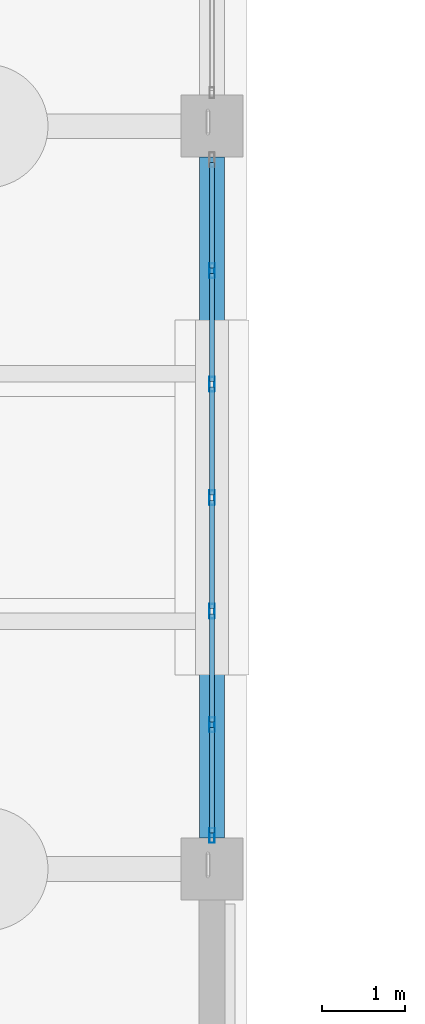
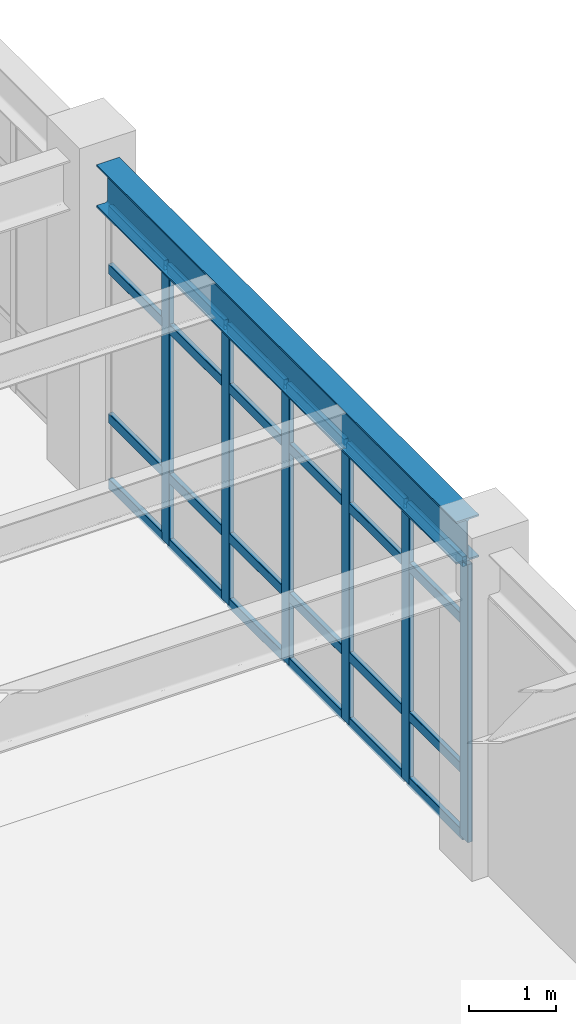
# One storey, part 72 of 139: 30 members, 1 beam, 1 element without a shape of its own.
"""IFC4 building model written with IfcOpenShell, lengths in metres."""

import ifcopenshell
import ifcopenshell.guid

model = None  # the IFC model being written
_history = None  # IfcOwnerHistory: only IFC2X3 demands one
_inside = {}  # id of a spatial element -> (the spatial element, [elements in it])
_under = {}  # id of a project, library or spatial element -> (it, [spatial elements below it])
_declared = {}  # id of a project -> (the project, [libraries it declares])
_typed = {}  # id of a type object -> (the type object, [elements of that type])
_made_of = {}  # id of a material, layer set ... -> (it, [elements and type objects made of it])


def new_model(schema):
    """Start an empty IFC model of exactly this schema.

    Asked for "IFC4X3", IfcOpenShell would pick the latest addendum, in which some entities
    have other attributes; the version numbers below select the first issue.
    IFC2X3 requires an IfcOwnerHistory on every rooted entity: one is made here for all.
    """
    global model, _history
    if schema == "IFC4X3":
        model = ifcopenshell.file(schema_version=(4, 3, 0, 0))
    else:
        model = ifcopenshell.file(schema=schema)
    _inside.clear()
    _under.clear()
    _declared.clear()
    _typed.clear()
    _made_of.clear()
    _history = None
    if model.schema == "IFC2X3":
        org = make("IfcOrganization", Name="unknown")
        user = make(
            "IfcPersonAndOrganization",
            ThePerson=make("IfcPerson", FamilyName="unknown"),
            TheOrganization=org,
        )
        app = make(
            "IfcApplication",
            ApplicationDeveloper=org,
            Version="unknown",
            ApplicationFullName="unknown",
            ApplicationIdentifier="unknown",
        )
        _history = make(
            "IfcOwnerHistory",
            OwningUser=user,
            OwningApplication=app,
            ChangeAction="ADDED",
            CreationDate=0,
        )
    return model


def make(cls, **values):
    """One entity of the class cls with the attributes given. An attribute that is None is left unset."""
    return model.create_entity(
        cls, **{name: value for name, value in values.items() if value is not None}
    )


def rooted(cls, **values):
    """An entity with a GlobalId (a new one), such as an element, a storey or a relation."""
    return make(cls, GlobalId=ifcopenshell.guid.new(), OwnerHistory=_history, **values)


def si_unit(unit_type, name, prefix=None):
    """IfcSIUnit, for example si_unit("LENGTHUNIT", "METRE", prefix="MILLI")."""
    return make("IfcSIUnit", UnitType=unit_type, Prefix=prefix, Name=name)


def assignment(units):
    """IfcUnitAssignment: the units of a project."""
    return None if units is None else make("IfcUnitAssignment", Units=units)


def point(xyz):
    """IfcCartesianPoint."""
    return None if xyz is None else make("IfcCartesianPoint", Coordinates=xyz)


def direction(xyz):
    """IfcDirection."""
    return None if xyz is None else make("IfcDirection", DirectionRatios=xyz)


def frame(location, z_axis=None, x_axis=None):
    """IfcAxis2Placement3D, a coordinate frame: its origin and axes. An axis left out is left unset."""
    return make(
        "IfcAxis2Placement3D",
        Location=point(location),
        Axis=direction(z_axis),
        RefDirection=direction(x_axis),
    )


def frame_2d(location, x_axis=None):
    """IfcAxis2Placement2D, a coordinate frame in the plane: its origin and x axis."""
    return make(
        "IfcAxis2Placement2D", Location=point(location), RefDirection=direction(x_axis)
    )


def origin():
    """The frame at (0, 0, 0) with its axes left unset."""
    return frame((0.0, 0.0, 0.0))


def origin_2d():
    """The frame at (0, 0) in the plane with its x axis left unset."""
    return frame_2d((0.0, 0.0))


def place(relative_to, where):
    """IfcLocalPlacement: puts the frame where relative to a parent placement (None: the world)."""
    return make(
        "IfcLocalPlacement", PlacementRelTo=relative_to, RelativePlacement=where
    )


def context(
    kind, dimensions, precision=None, world=None, true_north=None, identifier=None
):
    """IfcGeometricRepresentationContext, for example the 3D "Model" context."""
    return make(
        "IfcGeometricRepresentationContext",
        ContextIdentifier=identifier,
        ContextType=kind,
        CoordinateSpaceDimension=dimensions,
        Precision=precision,
        WorldCoordinateSystem=world,
        TrueNorth=true_north,
    )


def subcontext(parent, identifier, kind, view, scale=None):
    """IfcGeometricRepresentationSubContext, for example "Body" below "Model"."""
    return make(
        "IfcGeometricRepresentationSubContext",
        ContextIdentifier=identifier,
        ContextType=kind,
        ParentContext=parent,
        TargetScale=scale,
        TargetView=view,
    )


def project(units=None, contexts=None):
    """IfcProject with its units and contexts."""
    return rooted(
        "IfcProject",
        Name="project",
        RepresentationContexts=contexts,
        UnitsInContext=assignment(units),
    )


def spatial(cls, under=None, at=None, **own):
    """A site, building, storey or space (cls), placed at a placement, below another one or the project."""
    s = rooted(cls, ObjectPlacement=at, **own)
    if under is not None:
        _under.setdefault(under.id(), (under, []))[1].append(s)
    return s


def profile(cls, at=None, kind="AREA", **sizes):
    """A parametric profile (cls). Its sizes go by their IFC names, for example OverallWidth=200.0."""
    return make(cls, ProfileType=kind, Position=at, **sizes)


def hollow_rectangle(**sizes):
    """IfcRectangleHollowProfileDef."""
    return profile("IfcRectangleHollowProfileDef", **sizes)


def i_section(**sizes):
    """IfcIShapeProfileDef."""
    return profile("IfcIShapeProfileDef", **sizes)


def extrude(swept, where, along, depth):
    """IfcExtrudedAreaSolid: the profile swept, set in the frame where, extruded along a direction by depth."""
    return make(
        "IfcExtrudedAreaSolid",
        SweptArea=swept,
        Position=where,
        ExtrudedDirection=direction(along),
        Depth=depth,
    )


def shape(context_of_items, identifier, shape_type, items):
    """IfcShapeRepresentation: the items that make up one representation, for example the "Body"."""
    return make(
        "IfcShapeRepresentation",
        ContextOfItems=context_of_items,
        RepresentationIdentifier=identifier,
        RepresentationType=shape_type,
        Items=items,
    )


def material(Name=None, Category=None):
    """IfcMaterial."""
    return make("IfcMaterial", Name=Name, Category=Category)


def material_profile(
    of_material, cross_section, Name=None, Category=None, Priority=None
):
    """IfcMaterialProfile: a cross section and its material."""
    return make(
        "IfcMaterialProfile",
        Name=Name,
        Material=of_material,
        Profile=cross_section,
        Priority=Priority,
        Category=Category,
    )


def profile_set(profiles, Name=None, composite=None):
    """IfcMaterialProfileSet."""
    return make(
        "IfcMaterialProfileSet",
        Name=Name,
        MaterialProfiles=profiles,
        CompositeProfile=composite,
    )


def made_of(thing, what):
    """Note that an element or type object is made of a material, layer set ...; save() writes the relation."""
    if what is not None:
        _made_of.setdefault(what.id(), (what, []))[1].append(thing)
    return thing


def type_object(cls, material=None, **own):
    """A type object (cls), such as IfcWallType, which elements share."""
    return made_of(rooted(cls, **own), material)


def element(
    cls,
    number,
    at=None,
    inside=None,
    cuts=None,
    type_object=None,
    material=None,
    context=None,
    identifier="Body",
    shape_type=None,
    held_by="IfcProductDefinitionShape",
    body=None,
    shapes=None,
    **own,
):
    """One element of the class cls, such as IfcWall. Its Tag is "e" and its number.

    at: its placement. inside: the storey or other place that contains it. cuts: it is an
    opening in that element (IfcRelVoidsElement). A single representation is given by context,
    identifier, shape_type and body (its items); several are given by shapes. held_by: the class
    of the entity that holds the representations. save() writes the other relations.
    """
    e = rooted(cls, Tag="e%d" % number, ObjectPlacement=at, **own)
    if body is not None:
        shapes = [shape(context, identifier, shape_type, body)]
    if shapes is not None:
        e.Representation = make(held_by, Representations=shapes)
    if inside is not None:
        _inside.setdefault(inside.id(), (inside, []))[1].append(e)
    if cuts is not None:
        rooted(
            "IfcRelVoidsElement", RelatingBuildingElement=cuts, RelatedOpeningElement=e
        )
    if type_object is not None:
        _typed.setdefault(type_object.id(), (type_object, []))[1].append(e)
    return made_of(e, material)


def aggregate(whole, parts):
    """IfcRelAggregates: a whole, such as a stair, and the parts it consists of."""
    return rooted("IfcRelAggregates", RelatingObject=whole, RelatedObjects=parts)


def save(model, path):
    """Write the relations noted so far, then the file.

    IfcRelAggregates (storeys below a building ...), IfcRelContainedInSpatialStructure (elements
    in a storey), IfcRelDefinesByType, IfcRelAssociatesMaterial and IfcRelDeclares: one each for
    every whole, place, type object, material and project.
    """
    for whole, parts in _under.values():
        aggregate(whole, parts)
    for where, things in _inside.values():
        rooted(
            "IfcRelContainedInSpatialStructure",
            RelatedElements=things,
            RelatingStructure=where,
        )
    for kind, things in _typed.values():
        rooted("IfcRelDefinesByType", RelatedObjects=things, RelatingType=kind)
    for what, things in _made_of.values():
        rooted("IfcRelAssociatesMaterial", RelatedObjects=things, RelatingMaterial=what)
    for by, libraries in _declared.values():
        rooted("IfcRelDeclares", RelatingContext=by, RelatedDefinitions=libraries)
    model.write(path)


model = new_model("IFC4")

# Units and contexts
model_context = context("Model", 3, precision=1e-05, world=origin(), true_north=direction((0.0, 1.0)))
body_context = subcontext(model_context, "Body", "Model", "MODEL_VIEW")
ifc_project = project(units=[si_unit("LENGTHUNIT", "METRE"), si_unit("AREAUNIT", "SQUARE_METRE"), si_unit("VOLUMEUNIT", "CUBIC_METRE"), si_unit("PLANEANGLEUNIT", "RADIAN"), si_unit("MASSUNIT", "GRAM", prefix="KILO")], contexts=[model_context])

# Site, building, storey
site_placement = place(None, origin())
site = spatial("IfcSite", under=ifc_project, at=site_placement, CompositionType="ELEMENT")
building_placement = place(site_placement, origin())
building = spatial("IfcBuilding", under=site, at=building_placement, Name="Canglan Escarpment Cableway Terminal", CompositionType="ELEMENT")
storey_placement = place(building_placement, frame((0.0, 0.0, 14.39990234375)))
storey = spatial("IfcBuildingStorey", under=building, at=storey_placement, Name="L03", CompositionType="ELEMENT", Elevation=14.39990234375)

# Beam
ifc_material_1 = material(Name="Steel Q355C", Category="steel")
ifc_material_profile_1 = material_profile(ifc_material_1, i_section(OverallWidth=0.302001953125, OverallDepth=0.593994140625, WebThickness=0.013916015625, FlangeThickness=0.02294921875, FilletRadius=0.028076171875, at=origin_2d()), Name="HM 594x302x14x23")
ifc_profile_set_1 = profile_set([ifc_material_profile_1], Name="Steel Q355C")
beam_type = type_object("IfcBeamType", Name="BM-HM594", PredefinedType="BEAM", material=ifc_profile_set_1)
beam_placement = place(storey_placement, frame((166.39990234375, 79.375, 4.203125), z_axis=(0.0, 1.0, 0.0), x_axis=(-1.0, 0.0, 0.0)))
element("IfcBeam", 1, at=beam_placement, inside=storey, type_object=beam_type, Name="Primary transverse girder B-07", PredefinedType="BEAM", context=body_context, shape_type="SweptSolid", body=[
    extrude(i_section(OverallWidth=0.302001953125, OverallDepth=0.593994140625, WebThickness=0.013916015625, FlangeThickness=0.02294921875, FilletRadius=0.028076171875, at=origin_2d()), origin(), (0.0, 0.0, 1.0), 8.25),
])

# Curtain wall, members
ifc_material_2 = material(Name="Anodized bronze aluminium and Low-E double glazing", Category="aluminium")
curtain_wall_type = type_object("IfcCurtainWallType", Name="CW-BAY-8250x3900", PredefinedType="NOTDEFINED", material=ifc_material_2)
curtain_wall_placement = place(storey_placement, origin())
curtain_wall = element("IfcCurtainWall", 2, at=curtain_wall_placement, inside=storey, type_object=curtain_wall_type, Name="Classical bay-between-piers glazed curtain wall CW-62", PredefinedType="NOTDEFINED")
ifc_material_3 = material(Name="Thermally broken anodized aluminium 6063-T6", Category="aluminium")
ifc_material_profile_2 = material_profile(ifc_material_3, hollow_rectangle(XDim=0.06494140625, YDim=0.179931640625, WallThickness=0.00390625, InnerFilletRadius=0.00390625, OuterFilletRadius=0.008056640625, at=origin_2d()), Name="ALU-MULL 65x180x4")
ifc_profile_set_2 = profile_set([ifc_material_profile_2], Name="Thermally broken anodized aluminium 6063-T6")
member_type_1 = type_object("IfcMemberType", Name="CWM-03", PredefinedType="MULLION", material=ifc_profile_set_2)
member_1_placement = place(storey_placement, frame((166.39990234375, 79.407470703125, 0.0), z_axis=(0.0, 0.0, 1.0), x_axis=(-1.0, 0.0, 0.0)))
member_1 = element("IfcMember", 3, at=member_1_placement, type_object=member_type_1, Name="CW-62 mullion 1", PredefinedType="MULLION", context=body_context, shape_type="SweptSolid", body=[
    extrude(hollow_rectangle(XDim=0.06494140625, YDim=0.179931640625, WallThickness=0.00390625, InnerFilletRadius=0.00390625, OuterFilletRadius=0.008056640625, at=origin_2d()), origin(), (0.0, 0.0, 1.0), 3.89111328125),
])
member_2_placement = place(storey_placement, frame((166.39990234375, 80.75, 0.0), z_axis=(0.0, 0.0, 1.0), x_axis=(-1.0, 0.0, 0.0)))
member_2 = element("IfcMember", 4, at=member_2_placement, type_object=member_type_1, Name="CW-62 mullion 2", PredefinedType="MULLION", context=body_context, shape_type="SweptSolid", body=[
    extrude(hollow_rectangle(XDim=0.06494140625, YDim=0.179931640625, WallThickness=0.00390625, InnerFilletRadius=0.00390625, OuterFilletRadius=0.008056640625, at=origin_2d()), origin(), (0.0, 0.0, 1.0), 3.89111328125),
])
member_3_placement = place(storey_placement, frame((166.39990234375, 82.125, 0.0), z_axis=(0.0, 0.0, 1.0), x_axis=(-1.0, 0.0, 0.0)))
member_3 = element("IfcMember", 5, at=member_3_placement, type_object=member_type_1, Name="CW-62 mullion 3", PredefinedType="MULLION", context=body_context, shape_type="SweptSolid", body=[
    extrude(hollow_rectangle(XDim=0.06494140625, YDim=0.179931640625, WallThickness=0.00390625, InnerFilletRadius=0.00390625, OuterFilletRadius=0.008056640625, at=origin_2d()), origin(), (0.0, 0.0, 1.0), 3.89111328125),
])
member_4_placement = place(storey_placement, frame((166.39990234375, 83.5, 0.0), z_axis=(0.0, 0.0, 1.0), x_axis=(-1.0, 0.0, 0.0)))
member_4 = element("IfcMember", 6, at=member_4_placement, type_object=member_type_1, Name="CW-62 mullion 4", PredefinedType="MULLION", context=body_context, shape_type="SweptSolid", body=[
    extrude(hollow_rectangle(XDim=0.06494140625, YDim=0.179931640625, WallThickness=0.00390625, InnerFilletRadius=0.00390625, OuterFilletRadius=0.008056640625, at=origin_2d()), origin(), (0.0, 0.0, 1.0), 3.89111328125),
])
member_5_placement = place(storey_placement, frame((166.39990234375, 84.875, 0.0), z_axis=(0.0, 0.0, 1.0), x_axis=(-1.0, 0.0, 0.0)))
member_5 = element("IfcMember", 7, at=member_5_placement, type_object=member_type_1, Name="CW-62 mullion 5", PredefinedType="MULLION", context=body_context, shape_type="SweptSolid", body=[
    extrude(hollow_rectangle(XDim=0.06494140625, YDim=0.179931640625, WallThickness=0.00390625, InnerFilletRadius=0.00390625, OuterFilletRadius=0.008056640625, at=origin_2d()), origin(), (0.0, 0.0, 1.0), 3.89111328125),
])
member_6_placement = place(storey_placement, frame((166.39990234375, 86.25, 0.0), z_axis=(0.0, 0.0, 1.0), x_axis=(-1.0, 0.0, 0.0)))
member_6 = element("IfcMember", 8, at=member_6_placement, type_object=member_type_1, Name="CW-62 mullion 6", PredefinedType="MULLION", context=body_context, shape_type="SweptSolid", body=[
    extrude(hollow_rectangle(XDim=0.06494140625, YDim=0.179931640625, WallThickness=0.00390625, InnerFilletRadius=0.00390625, OuterFilletRadius=0.008056640625, at=origin_2d()), origin(), (0.0, 0.0, 1.0), 3.89111328125),
])
ifc_material_profile_3 = material_profile(ifc_material_3, hollow_rectangle(XDim=0.06494140625, YDim=0.139892578125, WallThickness=0.00341796875, InnerFilletRadius=0.00341796875, OuterFilletRadius=0.007080078125, at=origin_2d()), Name="ALU-TRAN 65x140x3.5")
ifc_profile_set_3 = profile_set([ifc_material_profile_3], Name="Thermally broken anodized aluminium 6063-T6")
member_type_2 = type_object("IfcMemberType", Name="CWT-03", PredefinedType="USERDEFINED", material=ifc_profile_set_3)
member_7_placement = place(storey_placement, frame((166.39990234375, 79.43994140625, 0.03271484375), z_axis=(0.0, 1.0, 0.0), x_axis=(-1.0, 0.0, 0.0)))
member_7 = element("IfcMember", 9, at=member_7_placement, type_object=member_type_2, Name="CW-62 transom 1.1", ObjectType="TRANSOM", PredefinedType="USERDEFINED", context=body_context, shape_type="SweptSolid", body=[
    extrude(hollow_rectangle(XDim=0.06494140625, YDim=0.139892578125, WallThickness=0.00341796875, InnerFilletRadius=0.00341796875, OuterFilletRadius=0.007080078125, at=origin_2d()), origin(), (0.0, 0.0, 1.0), 1.277587890625),
])
member_8_placement = place(storey_placement, frame((166.39990234375, 79.43994140625, 0.9501953125), z_axis=(0.0, 1.0, 0.0), x_axis=(-1.0, 0.0, 0.0)))
member_8 = element("IfcMember", 10, at=member_8_placement, type_object=member_type_2, Name="CW-62 transom 1.2", ObjectType="TRANSOM", PredefinedType="USERDEFINED", context=body_context, shape_type="SweptSolid", body=[
    extrude(hollow_rectangle(XDim=0.06494140625, YDim=0.139892578125, WallThickness=0.00341796875, InnerFilletRadius=0.00341796875, OuterFilletRadius=0.007080078125, at=origin_2d()), origin(), (0.0, 0.0, 1.0), 1.277587890625),
])
member_9_placement = place(storey_placement, frame((166.39990234375, 79.43994140625, 3.041015625), z_axis=(0.0, 1.0, 0.0), x_axis=(-1.0, 0.0, 0.0)))
member_9 = element("IfcMember", 11, at=member_9_placement, type_object=member_type_2, Name="CW-62 transom 1.3", ObjectType="TRANSOM", PredefinedType="USERDEFINED", context=body_context, shape_type="SweptSolid", body=[
    extrude(hollow_rectangle(XDim=0.06494140625, YDim=0.139892578125, WallThickness=0.00341796875, InnerFilletRadius=0.00341796875, OuterFilletRadius=0.007080078125, at=origin_2d()), origin(), (0.0, 0.0, 1.0), 1.277587890625),
])
member_10_placement = place(storey_placement, frame((166.39990234375, 79.43994140625, 3.858642578125), z_axis=(0.0, 1.0, 0.0), x_axis=(-1.0, 0.0, 0.0)))
member_10 = element("IfcMember", 12, at=member_10_placement, type_object=member_type_2, Name="CW-62 transom 1.4", ObjectType="TRANSOM", PredefinedType="USERDEFINED", context=body_context, shape_type="SweptSolid", body=[
    extrude(hollow_rectangle(XDim=0.06494140625, YDim=0.139892578125, WallThickness=0.00341796875, InnerFilletRadius=0.00341796875, OuterFilletRadius=0.007080078125, at=origin_2d()), origin(), (0.0, 0.0, 1.0), 1.277587890625),
])
member_11_placement = place(storey_placement, frame((166.39990234375, 80.782470703125, 0.03271484375), z_axis=(0.0, 1.0, 0.0), x_axis=(-1.0, 0.0, 0.0)))
member_11 = element("IfcMember", 13, at=member_11_placement, type_object=member_type_2, Name="CW-62 transom 2.1", ObjectType="TRANSOM", PredefinedType="USERDEFINED", context=body_context, shape_type="SweptSolid", body=[
    extrude(hollow_rectangle(XDim=0.06494140625, YDim=0.139892578125, WallThickness=0.00341796875, InnerFilletRadius=0.00341796875, OuterFilletRadius=0.007080078125, at=origin_2d()), origin(), (0.0, 0.0, 1.0), 1.31005859375),
])
member_12_placement = place(storey_placement, frame((166.39990234375, 80.782470703125, 0.9501953125), z_axis=(0.0, 1.0, 0.0), x_axis=(-1.0, 0.0, 0.0)))
member_12 = element("IfcMember", 14, at=member_12_placement, type_object=member_type_2, Name="CW-62 transom 2.2", ObjectType="TRANSOM", PredefinedType="USERDEFINED", context=body_context, shape_type="SweptSolid", body=[
    extrude(hollow_rectangle(XDim=0.06494140625, YDim=0.139892578125, WallThickness=0.00341796875, InnerFilletRadius=0.00341796875, OuterFilletRadius=0.007080078125, at=origin_2d()), origin(), (0.0, 0.0, 1.0), 1.31005859375),
])
member_13_placement = place(storey_placement, frame((166.39990234375, 80.782470703125, 3.041015625), z_axis=(0.0, 1.0, 0.0), x_axis=(-1.0, 0.0, 0.0)))
member_13 = element("IfcMember", 15, at=member_13_placement, type_object=member_type_2, Name="CW-62 transom 2.3", ObjectType="TRANSOM", PredefinedType="USERDEFINED", context=body_context, shape_type="SweptSolid", body=[
    extrude(hollow_rectangle(XDim=0.06494140625, YDim=0.139892578125, WallThickness=0.00341796875, InnerFilletRadius=0.00341796875, OuterFilletRadius=0.007080078125, at=origin_2d()), origin(), (0.0, 0.0, 1.0), 1.31005859375),
])
member_14_placement = place(storey_placement, frame((166.39990234375, 80.782470703125, 3.858642578125), z_axis=(0.0, 1.0, 0.0), x_axis=(-1.0, 0.0, 0.0)))
member_14 = element("IfcMember", 16, at=member_14_placement, type_object=member_type_2, Name="CW-62 transom 2.4", ObjectType="TRANSOM", PredefinedType="USERDEFINED", context=body_context, shape_type="SweptSolid", body=[
    extrude(hollow_rectangle(XDim=0.06494140625, YDim=0.139892578125, WallThickness=0.00341796875, InnerFilletRadius=0.00341796875, OuterFilletRadius=0.007080078125, at=origin_2d()), origin(), (0.0, 0.0, 1.0), 1.31005859375),
])
member_15_placement = place(storey_placement, frame((166.39990234375, 82.157470703125, 0.03271484375), z_axis=(0.0, 1.0, 0.0), x_axis=(-1.0, 0.0, 0.0)))
member_15 = element("IfcMember", 17, at=member_15_placement, type_object=member_type_2, Name="CW-62 transom 3.1", ObjectType="TRANSOM", PredefinedType="USERDEFINED", context=body_context, shape_type="SweptSolid", body=[
    extrude(hollow_rectangle(XDim=0.06494140625, YDim=0.139892578125, WallThickness=0.00341796875, InnerFilletRadius=0.00341796875, OuterFilletRadius=0.007080078125, at=origin_2d()), origin(), (0.0, 0.0, 1.0), 1.31005859375),
])
member_16_placement = place(storey_placement, frame((166.39990234375, 82.157470703125, 0.9501953125), z_axis=(0.0, 1.0, 0.0), x_axis=(-1.0, 0.0, 0.0)))
member_16 = element("IfcMember", 18, at=member_16_placement, type_object=member_type_2, Name="CW-62 transom 3.2", ObjectType="TRANSOM", PredefinedType="USERDEFINED", context=body_context, shape_type="SweptSolid", body=[
    extrude(hollow_rectangle(XDim=0.06494140625, YDim=0.139892578125, WallThickness=0.00341796875, InnerFilletRadius=0.00341796875, OuterFilletRadius=0.007080078125, at=origin_2d()), origin(), (0.0, 0.0, 1.0), 1.31005859375),
])
member_17_placement = place(storey_placement, frame((166.39990234375, 82.157470703125, 3.041015625), z_axis=(0.0, 1.0, 0.0), x_axis=(-1.0, 0.0, 0.0)))
member_17 = element("IfcMember", 19, at=member_17_placement, type_object=member_type_2, Name="CW-62 transom 3.3", ObjectType="TRANSOM", PredefinedType="USERDEFINED", context=body_context, shape_type="SweptSolid", body=[
    extrude(hollow_rectangle(XDim=0.06494140625, YDim=0.139892578125, WallThickness=0.00341796875, InnerFilletRadius=0.00341796875, OuterFilletRadius=0.007080078125, at=origin_2d()), origin(), (0.0, 0.0, 1.0), 1.31005859375),
])
member_18_placement = place(storey_placement, frame((166.39990234375, 82.157470703125, 3.858642578125), z_axis=(0.0, 1.0, 0.0), x_axis=(-1.0, 0.0, 0.0)))
member_18 = element("IfcMember", 20, at=member_18_placement, type_object=member_type_2, Name="CW-62 transom 3.4", ObjectType="TRANSOM", PredefinedType="USERDEFINED", context=body_context, shape_type="SweptSolid", body=[
    extrude(hollow_rectangle(XDim=0.06494140625, YDim=0.139892578125, WallThickness=0.00341796875, InnerFilletRadius=0.00341796875, OuterFilletRadius=0.007080078125, at=origin_2d()), origin(), (0.0, 0.0, 1.0), 1.31005859375),
])
member_19_placement = place(storey_placement, frame((166.39990234375, 83.532470703125, 0.03271484375), z_axis=(0.0, 1.0, 0.0), x_axis=(-1.0, 0.0, 0.0)))
member_19 = element("IfcMember", 21, at=member_19_placement, type_object=member_type_2, Name="CW-62 transom 4.1", ObjectType="TRANSOM", PredefinedType="USERDEFINED", context=body_context, shape_type="SweptSolid", body=[
    extrude(hollow_rectangle(XDim=0.06494140625, YDim=0.139892578125, WallThickness=0.00341796875, InnerFilletRadius=0.00341796875, OuterFilletRadius=0.007080078125, at=origin_2d()), origin(), (0.0, 0.0, 1.0), 1.31005859375),
])
member_20_placement = place(storey_placement, frame((166.39990234375, 83.532470703125, 0.9501953125), z_axis=(0.0, 1.0, 0.0), x_axis=(-1.0, 0.0, 0.0)))
member_20 = element("IfcMember", 22, at=member_20_placement, type_object=member_type_2, Name="CW-62 transom 4.2", ObjectType="TRANSOM", PredefinedType="USERDEFINED", context=body_context, shape_type="SweptSolid", body=[
    extrude(hollow_rectangle(XDim=0.06494140625, YDim=0.139892578125, WallThickness=0.00341796875, InnerFilletRadius=0.00341796875, OuterFilletRadius=0.007080078125, at=origin_2d()), origin(), (0.0, 0.0, 1.0), 1.31005859375),
])
member_21_placement = place(storey_placement, frame((166.39990234375, 83.532470703125, 3.041015625), z_axis=(0.0, 1.0, 0.0), x_axis=(-1.0, 0.0, 0.0)))
member_21 = element("IfcMember", 23, at=member_21_placement, type_object=member_type_2, Name="CW-62 transom 4.3", ObjectType="TRANSOM", PredefinedType="USERDEFINED", context=body_context, shape_type="SweptSolid", body=[
    extrude(hollow_rectangle(XDim=0.06494140625, YDim=0.139892578125, WallThickness=0.00341796875, InnerFilletRadius=0.00341796875, OuterFilletRadius=0.007080078125, at=origin_2d()), origin(), (0.0, 0.0, 1.0), 1.31005859375),
])
member_22_placement = place(storey_placement, frame((166.39990234375, 83.532470703125, 3.858642578125), z_axis=(0.0, 1.0, 0.0), x_axis=(-1.0, 0.0, 0.0)))
member_22 = element("IfcMember", 24, at=member_22_placement, type_object=member_type_2, Name="CW-62 transom 4.4", ObjectType="TRANSOM", PredefinedType="USERDEFINED", context=body_context, shape_type="SweptSolid", body=[
    extrude(hollow_rectangle(XDim=0.06494140625, YDim=0.139892578125, WallThickness=0.00341796875, InnerFilletRadius=0.00341796875, OuterFilletRadius=0.007080078125, at=origin_2d()), origin(), (0.0, 0.0, 1.0), 1.31005859375),
])
member_23_placement = place(storey_placement, frame((166.39990234375, 84.907470703125, 0.03271484375), z_axis=(0.0, 1.0, 0.0), x_axis=(-1.0, 0.0, 0.0)))
member_23 = element("IfcMember", 25, at=member_23_placement, type_object=member_type_2, Name="CW-62 transom 5.1", ObjectType="TRANSOM", PredefinedType="USERDEFINED", context=body_context, shape_type="SweptSolid", body=[
    extrude(hollow_rectangle(XDim=0.06494140625, YDim=0.139892578125, WallThickness=0.00341796875, InnerFilletRadius=0.00341796875, OuterFilletRadius=0.007080078125, at=origin_2d()), origin(), (0.0, 0.0, 1.0), 1.31005859375),
])
member_24_placement = place(storey_placement, frame((166.39990234375, 84.907470703125, 0.9501953125), z_axis=(0.0, 1.0, 0.0), x_axis=(-1.0, 0.0, 0.0)))
member_24 = element("IfcMember", 26, at=member_24_placement, type_object=member_type_2, Name="CW-62 transom 5.2", ObjectType="TRANSOM", PredefinedType="USERDEFINED", context=body_context, shape_type="SweptSolid", body=[
    extrude(hollow_rectangle(XDim=0.06494140625, YDim=0.139892578125, WallThickness=0.00341796875, InnerFilletRadius=0.00341796875, OuterFilletRadius=0.007080078125, at=origin_2d()), origin(), (0.0, 0.0, 1.0), 1.31005859375),
])
member_25_placement = place(storey_placement, frame((166.39990234375, 84.907470703125, 3.041015625), z_axis=(0.0, 1.0, 0.0), x_axis=(-1.0, 0.0, 0.0)))
member_25 = element("IfcMember", 27, at=member_25_placement, type_object=member_type_2, Name="CW-62 transom 5.3", ObjectType="TRANSOM", PredefinedType="USERDEFINED", context=body_context, shape_type="SweptSolid", body=[
    extrude(hollow_rectangle(XDim=0.06494140625, YDim=0.139892578125, WallThickness=0.00341796875, InnerFilletRadius=0.00341796875, OuterFilletRadius=0.007080078125, at=origin_2d()), origin(), (0.0, 0.0, 1.0), 1.31005859375),
])
member_26_placement = place(storey_placement, frame((166.39990234375, 84.907470703125, 3.858642578125), z_axis=(0.0, 1.0, 0.0), x_axis=(-1.0, 0.0, 0.0)))
member_26 = element("IfcMember", 28, at=member_26_placement, type_object=member_type_2, Name="CW-62 transom 5.4", ObjectType="TRANSOM", PredefinedType="USERDEFINED", context=body_context, shape_type="SweptSolid", body=[
    extrude(hollow_rectangle(XDim=0.06494140625, YDim=0.139892578125, WallThickness=0.00341796875, InnerFilletRadius=0.00341796875, OuterFilletRadius=0.007080078125, at=origin_2d()), origin(), (0.0, 0.0, 1.0), 1.31005859375),
])
member_27_placement = place(storey_placement, frame((166.39990234375, 86.282470703125, 0.03271484375), z_axis=(0.0, 1.0, 0.0), x_axis=(-1.0, 0.0, 0.0)))
member_27 = element("IfcMember", 29, at=member_27_placement, type_object=member_type_2, Name="CW-62 transom 6.1", ObjectType="TRANSOM", PredefinedType="USERDEFINED", context=body_context, shape_type="SweptSolid", body=[
    extrude(hollow_rectangle(XDim=0.06494140625, YDim=0.139892578125, WallThickness=0.00341796875, InnerFilletRadius=0.00341796875, OuterFilletRadius=0.007080078125, at=origin_2d()), origin(), (0.0, 0.0, 1.0), 1.277587890625),
])
member_28_placement = place(storey_placement, frame((166.39990234375, 86.282470703125, 0.9501953125), z_axis=(0.0, 1.0, 0.0), x_axis=(-1.0, 0.0, 0.0)))
member_28 = element("IfcMember", 30, at=member_28_placement, type_object=member_type_2, Name="CW-62 transom 6.2", ObjectType="TRANSOM", PredefinedType="USERDEFINED", context=body_context, shape_type="SweptSolid", body=[
    extrude(hollow_rectangle(XDim=0.06494140625, YDim=0.139892578125, WallThickness=0.00341796875, InnerFilletRadius=0.00341796875, OuterFilletRadius=0.007080078125, at=origin_2d()), origin(), (0.0, 0.0, 1.0), 1.277587890625),
])
member_29_placement = place(storey_placement, frame((166.39990234375, 86.282470703125, 3.041015625), z_axis=(0.0, 1.0, 0.0), x_axis=(-1.0, 0.0, 0.0)))
member_29 = element("IfcMember", 31, at=member_29_placement, type_object=member_type_2, Name="CW-62 transom 6.3", ObjectType="TRANSOM", PredefinedType="USERDEFINED", context=body_context, shape_type="SweptSolid", body=[
    extrude(hollow_rectangle(XDim=0.06494140625, YDim=0.139892578125, WallThickness=0.00341796875, InnerFilletRadius=0.00341796875, OuterFilletRadius=0.007080078125, at=origin_2d()), origin(), (0.0, 0.0, 1.0), 1.277587890625),
])
member_30_placement = place(storey_placement, frame((166.39990234375, 86.282470703125, 3.858642578125), z_axis=(0.0, 1.0, 0.0), x_axis=(-1.0, 0.0, 0.0)))
member_30 = element("IfcMember", 32, at=member_30_placement, type_object=member_type_2, Name="CW-62 transom 6.4", ObjectType="TRANSOM", PredefinedType="USERDEFINED", context=body_context, shape_type="SweptSolid", body=[
    extrude(hollow_rectangle(XDim=0.06494140625, YDim=0.139892578125, WallThickness=0.00341796875, InnerFilletRadius=0.00341796875, OuterFilletRadius=0.007080078125, at=origin_2d()), origin(), (0.0, 0.0, 1.0), 1.277587890625),
])
aggregate(curtain_wall, [member_1, member_2, member_3, member_4, member_5, member_6, member_7, member_8, member_9, member_10, member_11, member_12, member_13, member_14, member_15, member_16, member_17, member_18, member_19, member_20, member_21, member_22, member_23, member_24, member_25, member_26, member_27, member_28, member_29, member_30])

save(model, "model.ifc")
